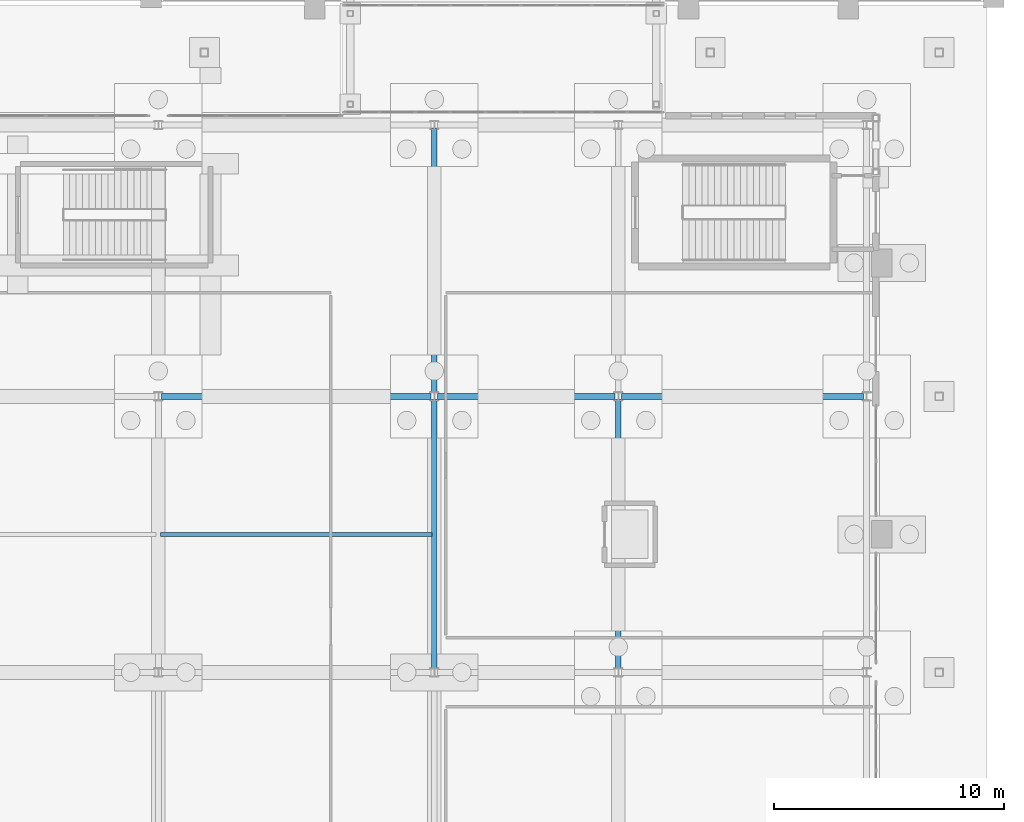
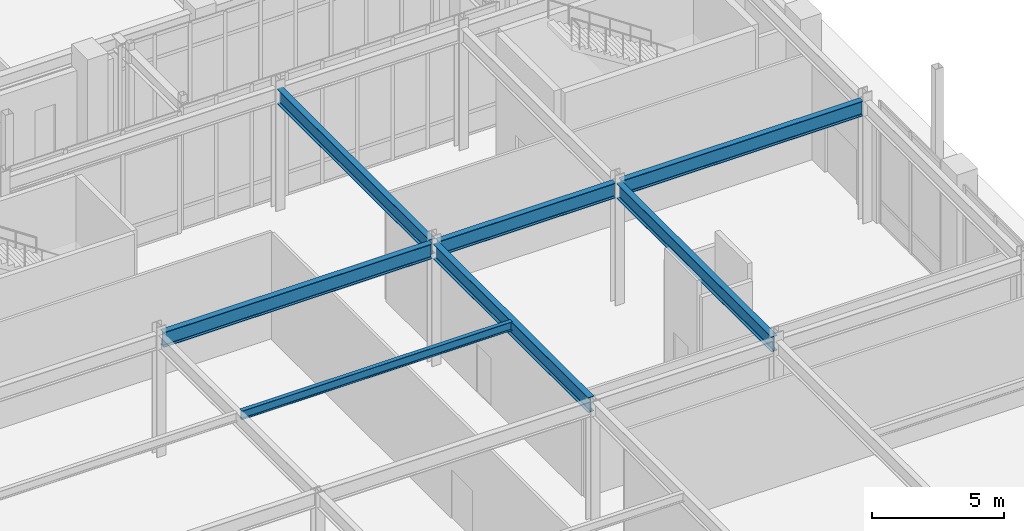
# One storey, part 69 of 143: 7 beams.
"""IFC4 building model written with IfcOpenShell, lengths in metres."""

import ifcopenshell
import ifcopenshell.guid

model = None  # the IFC model being written
_history = None  # IfcOwnerHistory: only IFC2X3 demands one
_inside = {}  # id of a spatial element -> (the spatial element, [elements in it])
_under = {}  # id of a project, library or spatial element -> (it, [spatial elements below it])
_declared = {}  # id of a project -> (the project, [libraries it declares])
_typed = {}  # id of a type object -> (the type object, [elements of that type])
_made_of = {}  # id of a material, layer set ... -> (it, [elements and type objects made of it])


def new_model(schema):
    """Start an empty IFC model of exactly this schema.

    Asked for "IFC4X3", IfcOpenShell would pick the latest addendum, in which some entities
    have other attributes; the version numbers below select the first issue.
    IFC2X3 requires an IfcOwnerHistory on every rooted entity: one is made here for all.
    """
    global model, _history
    if schema == "IFC4X3":
        model = ifcopenshell.file(schema_version=(4, 3, 0, 0))
    else:
        model = ifcopenshell.file(schema=schema)
    _inside.clear()
    _under.clear()
    _declared.clear()
    _typed.clear()
    _made_of.clear()
    _history = None
    if model.schema == "IFC2X3":
        org = make("IfcOrganization", Name="unknown")
        user = make(
            "IfcPersonAndOrganization",
            ThePerson=make("IfcPerson", FamilyName="unknown"),
            TheOrganization=org,
        )
        app = make(
            "IfcApplication",
            ApplicationDeveloper=org,
            Version="unknown",
            ApplicationFullName="unknown",
            ApplicationIdentifier="unknown",
        )
        _history = make(
            "IfcOwnerHistory",
            OwningUser=user,
            OwningApplication=app,
            ChangeAction="ADDED",
            CreationDate=0,
        )
    return model


def make(cls, **values):
    """One entity of the class cls with the attributes given. An attribute that is None is left unset."""
    return model.create_entity(
        cls, **{name: value for name, value in values.items() if value is not None}
    )


def rooted(cls, **values):
    """An entity with a GlobalId (a new one), such as an element, a storey or a relation."""
    return make(cls, GlobalId=ifcopenshell.guid.new(), OwnerHistory=_history, **values)


def si_unit(unit_type, name, prefix=None):
    """IfcSIUnit, for example si_unit("LENGTHUNIT", "METRE", prefix="MILLI")."""
    return make("IfcSIUnit", UnitType=unit_type, Prefix=prefix, Name=name)


def derived_unit(unit_type, elements):
    """IfcDerivedUnit: a product of units, each with its exponent."""
    return make(
        "IfcDerivedUnit",
        Elements=[
            make("IfcDerivedUnitElement", Unit=unit, Exponent=power)
            for unit, power in elements
        ],
        UnitType=unit_type,
    )


def assignment(units):
    """IfcUnitAssignment: the units of a project."""
    return None if units is None else make("IfcUnitAssignment", Units=units)


def point(xyz):
    """IfcCartesianPoint."""
    return None if xyz is None else make("IfcCartesianPoint", Coordinates=xyz)


def direction(xyz):
    """IfcDirection."""
    return None if xyz is None else make("IfcDirection", DirectionRatios=xyz)


def frame(location, z_axis=None, x_axis=None):
    """IfcAxis2Placement3D, a coordinate frame: its origin and axes. An axis left out is left unset."""
    return make(
        "IfcAxis2Placement3D",
        Location=point(location),
        Axis=direction(z_axis),
        RefDirection=direction(x_axis),
    )


def frame_2d(location, x_axis=None):
    """IfcAxis2Placement2D, a coordinate frame in the plane: its origin and x axis."""
    return make(
        "IfcAxis2Placement2D", Location=point(location), RefDirection=direction(x_axis)
    )


def origin():
    """The frame at (0, 0, 0) with its axes left unset."""
    return frame((0.0, 0.0, 0.0))


def origin_2d():
    """The frame at (0, 0) in the plane with its x axis left unset."""
    return frame_2d((0.0, 0.0))


def place(relative_to, where):
    """IfcLocalPlacement: puts the frame where relative to a parent placement (None: the world)."""
    return make(
        "IfcLocalPlacement", PlacementRelTo=relative_to, RelativePlacement=where
    )


def context(
    kind, dimensions, precision=None, world=None, true_north=None, identifier=None
):
    """IfcGeometricRepresentationContext, for example the 3D "Model" context."""
    return make(
        "IfcGeometricRepresentationContext",
        ContextIdentifier=identifier,
        ContextType=kind,
        CoordinateSpaceDimension=dimensions,
        Precision=precision,
        WorldCoordinateSystem=world,
        TrueNorth=true_north,
    )


def subcontext(parent, identifier, kind, view, scale=None):
    """IfcGeometricRepresentationSubContext, for example "Body" below "Model"."""
    return make(
        "IfcGeometricRepresentationSubContext",
        ContextIdentifier=identifier,
        ContextType=kind,
        ParentContext=parent,
        TargetScale=scale,
        TargetView=view,
    )


def project(units=None, contexts=None):
    """IfcProject with its units and contexts."""
    return rooted(
        "IfcProject",
        Name="project",
        RepresentationContexts=contexts,
        UnitsInContext=assignment(units),
    )


def spatial(cls, under=None, at=None, **own):
    """A site, building, storey or space (cls), placed at a placement, below another one or the project."""
    s = rooted(cls, ObjectPlacement=at, **own)
    if under is not None:
        _under.setdefault(under.id(), (under, []))[1].append(s)
    return s


def profile(cls, at=None, kind="AREA", **sizes):
    """A parametric profile (cls). Its sizes go by their IFC names, for example OverallWidth=200.0."""
    return make(cls, ProfileType=kind, Position=at, **sizes)


def i_section(**sizes):
    """IfcIShapeProfileDef."""
    return profile("IfcIShapeProfileDef", **sizes)


def extrude(swept, where, along, depth):
    """IfcExtrudedAreaSolid: the profile swept, set in the frame where, extruded along a direction by depth."""
    return make(
        "IfcExtrudedAreaSolid",
        SweptArea=swept,
        Position=where,
        ExtrudedDirection=direction(along),
        Depth=depth,
    )


def shape(context_of_items, identifier, shape_type, items):
    """IfcShapeRepresentation: the items that make up one representation, for example the "Body"."""
    return make(
        "IfcShapeRepresentation",
        ContextOfItems=context_of_items,
        RepresentationIdentifier=identifier,
        RepresentationType=shape_type,
        Items=items,
    )


def material(Name=None, Category=None):
    """IfcMaterial."""
    return make("IfcMaterial", Name=Name, Category=Category)


def material_profile(
    of_material, cross_section, Name=None, Category=None, Priority=None
):
    """IfcMaterialProfile: a cross section and its material."""
    return make(
        "IfcMaterialProfile",
        Name=Name,
        Material=of_material,
        Profile=cross_section,
        Priority=Priority,
        Category=Category,
    )


def profile_set(profiles, Name=None, composite=None):
    """IfcMaterialProfileSet."""
    return make(
        "IfcMaterialProfileSet",
        Name=Name,
        MaterialProfiles=profiles,
        CompositeProfile=composite,
    )


def made_of(thing, what):
    """Note that an element or type object is made of a material, layer set ...; save() writes the relation."""
    if what is not None:
        _made_of.setdefault(what.id(), (what, []))[1].append(thing)
    return thing


def type_object(cls, material=None, **own):
    """A type object (cls), such as IfcWallType, which elements share."""
    return made_of(rooted(cls, **own), material)


def element(
    cls,
    number,
    at=None,
    inside=None,
    cuts=None,
    type_object=None,
    material=None,
    context=None,
    identifier="Body",
    shape_type=None,
    held_by="IfcProductDefinitionShape",
    body=None,
    shapes=None,
    **own,
):
    """One element of the class cls, such as IfcWall. Its Tag is "e" and its number.

    at: its placement. inside: the storey or other place that contains it. cuts: it is an
    opening in that element (IfcRelVoidsElement). A single representation is given by context,
    identifier, shape_type and body (its items); several are given by shapes. held_by: the class
    of the entity that holds the representations. save() writes the other relations.
    """
    e = rooted(cls, Tag="e%d" % number, ObjectPlacement=at, **own)
    if body is not None:
        shapes = [shape(context, identifier, shape_type, body)]
    if shapes is not None:
        e.Representation = make(held_by, Representations=shapes)
    if inside is not None:
        _inside.setdefault(inside.id(), (inside, []))[1].append(e)
    if cuts is not None:
        rooted(
            "IfcRelVoidsElement", RelatingBuildingElement=cuts, RelatedOpeningElement=e
        )
    if type_object is not None:
        _typed.setdefault(type_object.id(), (type_object, []))[1].append(e)
    return made_of(e, material)


def aggregate(whole, parts):
    """IfcRelAggregates: a whole, such as a stair, and the parts it consists of."""
    return rooted("IfcRelAggregates", RelatingObject=whole, RelatedObjects=parts)


def save(model, path):
    """Write the relations noted so far, then the file.

    IfcRelAggregates (storeys below a building ...), IfcRelContainedInSpatialStructure (elements
    in a storey), IfcRelDefinesByType, IfcRelAssociatesMaterial and IfcRelDeclares: one each for
    every whole, place, type object, material and project.
    """
    for whole, parts in _under.values():
        aggregate(whole, parts)
    for where, things in _inside.values():
        rooted(
            "IfcRelContainedInSpatialStructure",
            RelatedElements=things,
            RelatingStructure=where,
        )
    for kind, things in _typed.values():
        rooted("IfcRelDefinesByType", RelatedObjects=things, RelatingType=kind)
    for what, things in _made_of.values():
        rooted("IfcRelAssociatesMaterial", RelatedObjects=things, RelatingMaterial=what)
    for by, libraries in _declared.values():
        rooted("IfcRelDeclares", RelatingContext=by, RelatedDefinitions=libraries)
    model.write(path)


model = new_model("IFC4")

# Units and contexts
model_context = context("Model", 3, precision=1e-05, world=origin(), true_north=direction((0.0, 1.0)))
body_context = subcontext(model_context, "Body", "Model", "MODEL_VIEW")
ifc_project = project(units=[si_unit("LENGTHUNIT", "METRE"), si_unit("AREAUNIT", "SQUARE_METRE"), si_unit("VOLUMEUNIT", "CUBIC_METRE"), si_unit("PLANEANGLEUNIT", "RADIAN"), si_unit("MASSUNIT", "GRAM", prefix="KILO"), derived_unit("THERMALTRANSMITTANCEUNIT", [(si_unit("MASSUNIT", "GRAM", prefix="KILO"), 1), (si_unit("TIMEUNIT", "SECOND"), -3), (si_unit("THERMODYNAMICTEMPERATUREUNIT", "KELVIN"), -1)])], contexts=[model_context])

# Site, building, storey
site_placement = place(None, origin())
site = spatial("IfcSite", under=ifc_project, at=site_placement, CompositionType="ELEMENT")
building_placement = place(site_placement, origin())
building = spatial("IfcBuilding", under=site, at=building_placement, Name="Valcora Ridge Arena", CompositionType="ELEMENT")
storey_placement = place(building_placement, origin())
storey = spatial("IfcBuildingStorey", under=building, at=storey_placement, Name="L00", CompositionType="ELEMENT", Elevation=0.0)

# Beams
ifc_material = material(Name="Steel ASTM A572 Grade 50", Category="steel")
ifc_material_profile_1 = material_profile(ifc_material, i_section(OverallWidth=0.256103515625, OverallDepth=0.693115234375, WebThickness=0.014404296875, FlangeThickness=0.023681640625, FilletRadius=0.02001953125, at=origin_2d()), Name="W27X114")
ifc_profile_set_1 = profile_set([ifc_material_profile_1], Name="Steel ASTM A572 Grade 50")
beam_type_1 = type_object("IfcBeamType", Name="TY-BEAM-G-W27X114-X", PredefinedType="BEAM", material=ifc_profile_set_1)
beam_1_placement = place(storey_placement, frame((156.139892578125, 66.0, 5.2734375), z_axis=(1.0, 0.0, 0.0), x_axis=(0.0, 1.0, 0.0)))
element("IfcBeam", 1, at=beam_1_placement, inside=storey, type_object=beam_type_1, Name="G-W27X114-X BEM-G-W27X114-X-0021", PredefinedType="BEAM", context=body_context, shape_type="SweptSolid", body=[
    extrude(i_section(OverallWidth=0.256103515625, OverallDepth=0.693115234375, WebThickness=0.014404296875, FlangeThickness=0.023681640625, FilletRadius=0.02001953125, at=origin_2d()), origin(), (0.0, 0.0, 1.0), 11.72021484375),
])
beam_2_placement = place(storey_placement, frame((168.139892578125, 66.0, 5.2734375), z_axis=(1.0, 0.0, 0.0), x_axis=(0.0, 1.0, 0.0)))
element("IfcBeam", 2, at=beam_2_placement, inside=storey, type_object=beam_type_1, Name="G-W27X114-X BEM-G-W27X114-X-0022", PredefinedType="BEAM", context=body_context, shape_type="SweptSolid", body=[
    extrude(i_section(OverallWidth=0.256103515625, OverallDepth=0.693115234375, WebThickness=0.014404296875, FlangeThickness=0.023681640625, FilletRadius=0.02001953125, at=origin_2d()), origin(), (0.0, 0.0, 1.0), 7.72021484375),
])
beam_3_placement = place(storey_placement, frame((176.139892578125, 66.0, 5.2734375), z_axis=(1.0, 0.0, 0.0), x_axis=(0.0, 1.0, 0.0)))
element("IfcBeam", 3, at=beam_3_placement, inside=storey, type_object=beam_type_1, Name="G-W27X114-X BEM-G-W27X114-X-0023", PredefinedType="BEAM", context=body_context, shape_type="SweptSolid", body=[
    extrude(i_section(OverallWidth=0.256103515625, OverallDepth=0.693115234375, WebThickness=0.014404296875, FlangeThickness=0.023681640625, FilletRadius=0.02001953125, at=origin_2d()), origin(), (0.0, 0.0, 1.0), 10.52001953125),
])
ifc_material_profile_2 = material_profile(ifc_material, i_section(OverallWidth=0.256103515625, OverallDepth=0.693115234375, WebThickness=0.014404296875, FlangeThickness=0.023681640625, FilletRadius=0.02001953125, at=origin_2d()), Name="W27X114")
ifc_profile_set_2 = profile_set([ifc_material_profile_2], Name="Steel ASTM A572 Grade 50")
beam_type_2 = type_object("IfcBeamType", Name="TY-BEAM-G-W27X114-Y", PredefinedType="BEAM", material=ifc_profile_set_2)
beam_4_placement = place(storey_placement, frame((168.0, 54.139892578125, 5.2734375), z_axis=(0.0, 1.0, 0.0), x_axis=(-1.0, 0.0, 0.0)))
element("IfcBeam", 4, at=beam_4_placement, inside=storey, type_object=beam_type_2, Name="G-W27X114-Y BEM-G-W27X114-Y-0022", PredefinedType="BEAM", context=body_context, shape_type="SweptSolid", body=[
    extrude(i_section(OverallWidth=0.256103515625, OverallDepth=0.693115234375, WebThickness=0.014404296875, FlangeThickness=0.023681640625, FilletRadius=0.02001953125, at=origin_2d()), origin(), (0.0, 0.0, 1.0), 11.72021484375),
])
beam_5_placement = place(storey_placement, frame((168.0, 66.139892578125, 5.2734375), z_axis=(0.0, 1.0, 0.0), x_axis=(-1.0, 0.0, 0.0)))
element("IfcBeam", 5, at=beam_5_placement, inside=storey, type_object=beam_type_2, Name="G-W27X114-Y BEM-G-W27X114-Y-0023", PredefinedType="BEAM", context=body_context, shape_type="SweptSolid", body=[
    extrude(i_section(OverallWidth=0.256103515625, OverallDepth=0.693115234375, WebThickness=0.014404296875, FlangeThickness=0.023681640625, FilletRadius=0.02001953125, at=origin_2d()), origin(), (0.0, 0.0, 1.0), 11.52001953125),
])
beam_6_placement = place(storey_placement, frame((176.0, 54.139892578125, 5.2734375), z_axis=(0.0, 1.0, 0.0), x_axis=(-1.0, 0.0, 0.0)))
element("IfcBeam", 6, at=beam_6_placement, inside=storey, type_object=beam_type_2, Name="G-W27X114-Y BEM-G-W27X114-Y-0026", PredefinedType="BEAM", context=body_context, shape_type="SweptSolid", body=[
    extrude(i_section(OverallWidth=0.256103515625, OverallDepth=0.693115234375, WebThickness=0.014404296875, FlangeThickness=0.023681640625, FilletRadius=0.02001953125, at=origin_2d()), origin(), (0.0, 0.0, 1.0), 11.72021484375),
])
ifc_material_profile_3 = material_profile(ifc_material, i_section(OverallWidth=0.177978515625, OverallDepth=0.406005859375, WebThickness=0.0078125, FlangeThickness=0.0126953125, FilletRadius=0.013916015625, at=origin_2d()), Name="W16X40")
ifc_profile_set_3 = profile_set([ifc_material_profile_3], Name="Steel ASTM A572 Grade 50")
beam_type_3 = type_object("IfcBeamType", Name="TY-BEAM-J-W16X40", PredefinedType="JOIST", material=ifc_profile_set_3)
beam_7_placement = place(storey_placement, frame((156.10009765625, 60.0, 5.4169921875), z_axis=(1.0, 0.0, 0.0), x_axis=(0.0, 1.0, 0.0)))
element("IfcBeam", 7, at=beam_7_placement, inside=storey, type_object=beam_type_3, Name="J-W16X40 BEM-J-W16X40-0010", PredefinedType="JOIST", context=body_context, shape_type="SweptSolid", body=[
    extrude(i_section(OverallWidth=0.177978515625, OverallDepth=0.406005859375, WebThickness=0.0078125, FlangeThickness=0.0126953125, FilletRadius=0.013916015625, at=origin_2d()), origin(), (0.0, 0.0, 1.0), 11.7998046875),
])

save(model, "model.ifc")
